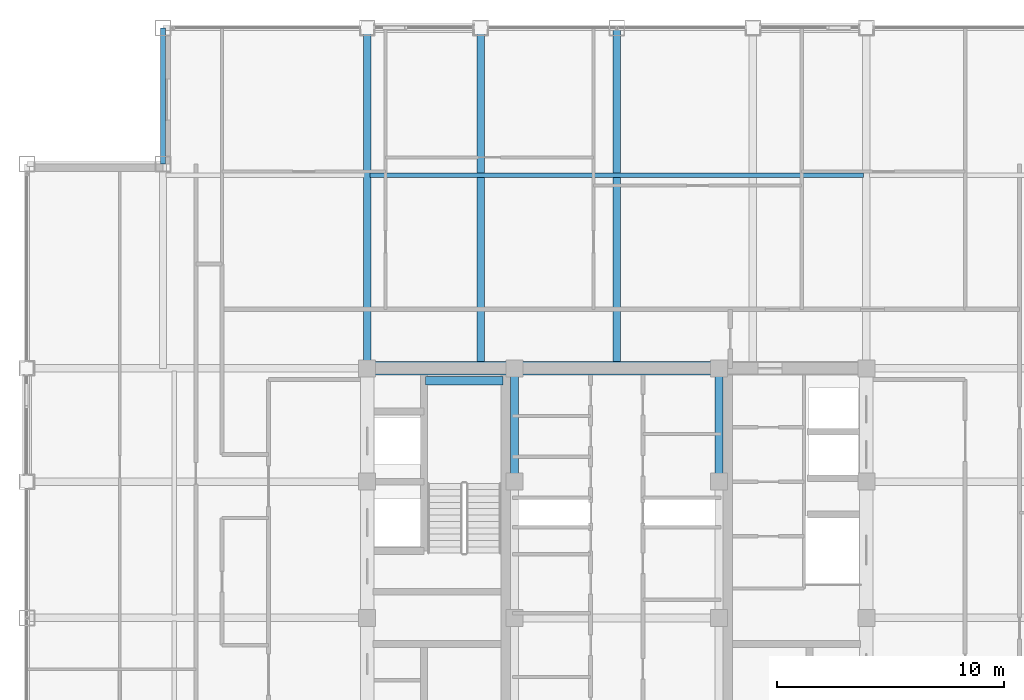
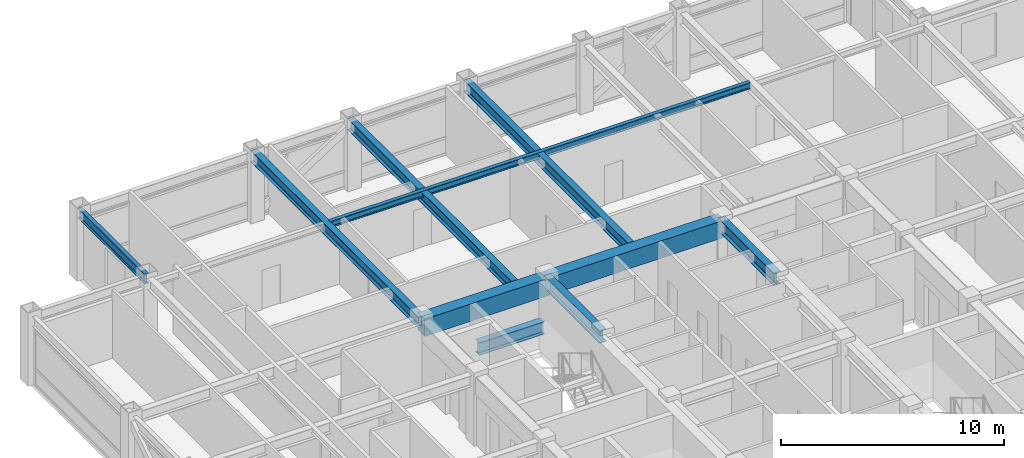
# One storey, part 15 of 29: 10 beams.
"""IFC4 building model written with IfcOpenShell, lengths in metres."""

from ifc_helpers import new_model, si_unit, direction, frame, origin, origin_2d, place, context, subcontext, project, spatial, rectangle, i_section, extrude, source, transform, mapped, material, material_profile, profile_set, type_object, element, save


model = new_model("IFC4")

# Units and contexts
model_context = context("Model", 3, precision=1e-05, world=origin(), true_north=direction((0.0, 1.0)))
body_context = subcontext(model_context, "Body", "Model", "MODEL_VIEW")
ifc_project = project(units=[si_unit("LENGTHUNIT", "METRE"), si_unit("AREAUNIT", "SQUARE_METRE"), si_unit("VOLUMEUNIT", "CUBIC_METRE"), si_unit("PLANEANGLEUNIT", "RADIAN"), si_unit("MASSUNIT", "GRAM", prefix="KILO")], contexts=[model_context])

# Site, building, storey
site_placement = place(None, origin())
site = spatial("IfcSite", under=ifc_project, at=site_placement, CompositionType="ELEMENT")
building_placement = place(site_placement, origin())
building = spatial("IfcBuilding", under=site, at=building_placement, Name="Khorayat Bourse Tower", CompositionType="ELEMENT")
storey_placement = place(building_placement, frame((0.0, 0.0, 362.300048828125)))
storey = spatial("IfcBuildingStorey", under=building, at=storey_placement, Name="L86", CompositionType="ELEMENT", Elevation=362.300048828125)

# Beams
ifc_material_1 = material(Name="Steel ASTM A992 Grade 50", Category="steel")
ifc_material_profile_1 = material_profile(ifc_material_1, i_section(OverallWidth=0.35498046875, OverallDepth=0.695068359375, WebThickness=0.015380859375, FlangeThickness=0.02490234375, FilletRadius=0.01806640625, at=origin_2d()), Name="W690X217")
ifc_profile_set_1 = profile_set([ifc_material_profile_1], Name="Steel ASTM A992 Grade 50")
beam_type_1 = type_object("IfcBeamType", Name="BM-GIRD-690", PredefinedType="BEAM", material=ifc_profile_set_1)
shared_shape_1 = source(origin(), body_context, "Body", "SweptSolid", [
    extrude(i_section(OverallWidth=0.35498046875, OverallDepth=0.695068359375, WebThickness=0.015380859375, FlangeThickness=0.02490234375, FilletRadius=0.01806640625, at=origin_2d()), origin(), (0.0, 0.0, 1.0), 5.0),
])
for number, where, z_axis, x_axis, name in (
    (1, (-4.5, 6.0, 3.392333984375), (0.0, 1.0, 0.0), (-1.0, 0.0, 0.0), "L86 BM-GIRD-690 BM-L86-CRX-08"),
    (2, (4.5, 6.0, 3.392333984375), (0.0, 1.0, 0.0), (-1.0, 0.0, 0.0), "L86 BM-GIRD-690 BM-L86-CRX-12"),
):
    element("IfcBeam", number, at=place(storey_placement, frame(where, z_axis=z_axis, x_axis=x_axis)), inside=storey, type_object=beam_type_1, Name=name, PredefinedType="BEAM", context=body_context, shape_type="MappedRepresentation", body=[
        mapped(shared_shape_1, transform((0.0, 0.0, 0.0), scale=1.0)),
    ])
shared_shape_2 = source(origin(), body_context, "Body", "SweptSolid", [
    extrude(i_section(OverallWidth=0.35498046875, OverallDepth=0.695068359375, WebThickness=0.015380859375, FlangeThickness=0.02490234375, FilletRadius=0.01806640625, at=origin_2d()), origin(), (0.0, 0.0, 1.0), 3.39990234375),
])
beam_1_placement = place(storey_placement, frame((-8.419921875, 10.449951171875, 1.452392578125), z_axis=(1.0, 0.0, 0.0), x_axis=(0.0, 1.0, 0.0)))
element("IfcBeam", 3, at=beam_1_placement, inside=storey, type_object=beam_type_1, Name="L86 BM-GIRD-690 BM-L86-ST2L", PredefinedType="BEAM", context=body_context, shape_type="MappedRepresentation", body=[
    mapped(shared_shape_2, transform((0.0, 0.0, 0.0), scale=1.0)),
])
ifc_material_2 = material(Name="Concrete C60/75", Category="concrete")
ifc_material_profile_2 = material_profile(ifc_material_2, rectangle(XDim=0.60009765625, YDim=0.949951171875, at=origin_2d()), Name="RC 600x950")
ifc_profile_set_2 = profile_set([ifc_material_profile_2], Name="Concrete C60/75")
beam_type_2 = type_object("IfcBeamType", Name="BM-COUP-950", PredefinedType="BEAM", material=ifc_profile_set_2)
shared_shape_3 = source(origin(), body_context, "Body", "SweptSolid", [
    extrude(rectangle(XDim=0.60009765625, YDim=0.949951171875, at=origin_2d()), origin(), (0.0, 0.0, 1.0), 6.5),
])
beam_2_placement = place(storey_placement, frame((-11.0, 11.0, 3.264892578125), z_axis=(1.0, 0.0, 0.0), x_axis=(0.0, 1.0, 0.0)))
element("IfcBeam", 4, at=beam_2_placement, inside=storey, type_object=beam_type_2, Name="L86 BM-COUP-950 BM-L86-CRY-20", PredefinedType="BEAM", context=body_context, shape_type="MappedRepresentation", body=[
    mapped(shared_shape_3, transform((0.0, 0.0, 0.0), scale=1.0)),
])
shared_shape_4 = source(origin(), body_context, "Body", "SweptSolid", [
    extrude(rectangle(XDim=0.60009765625, YDim=0.949951171875, at=origin_2d()), origin(), (0.0, 0.0, 1.0), 9.0),
])
beam_3_placement = place(storey_placement, frame((-4.5, 11.0, 3.264892578125), z_axis=(1.0, 0.0, 0.0), x_axis=(0.0, 1.0, 0.0)))
element("IfcBeam", 5, at=beam_3_placement, inside=storey, type_object=beam_type_2, Name="L86 BM-COUP-950 BM-L86-CRY-21", PredefinedType="BEAM", context=body_context, shape_type="MappedRepresentation", body=[
    mapped(shared_shape_4, transform((0.0, 0.0, 0.0), scale=1.0)),
])
ifc_material_profile_3 = material_profile(ifc_material_1, i_section(OverallWidth=0.202880859375, OverallDepth=0.346923828125, WebThickness=0.0078125, FlangeThickness=0.013427734375, FilletRadius=0.010009765625, at=origin_2d()), Name="W360X64")
ifc_profile_set_3 = profile_set([ifc_material_profile_3], Name="Steel ASTM A992 Grade 50")
beam_type_3 = type_object("IfcBeamType", Name="BM-JOIST-360", PredefinedType="JOIST", material=ifc_profile_set_3)
shared_shape_5 = source(origin(), body_context, "Body", "SweptSolid", [
    extrude(i_section(OverallWidth=0.202880859375, OverallDepth=0.346923828125, WebThickness=0.0078125, FlangeThickness=0.013427734375, FilletRadius=0.010009765625, at=origin_2d()), origin(), (0.0, 0.0, 1.0), 21.740234375),
])
beam_4_placement = place(storey_placement, frame((-10.8701171875, 19.5, 3.56640625), z_axis=(1.0, 0.0, 0.0), x_axis=(0.0, 1.0, 0.0)))
element("IfcBeam", 6, at=beam_4_placement, inside=storey, type_object=beam_type_3, Name="L86 BM-JOIST-360 BM-L86-JSTX-084", PredefinedType="JOIST", context=body_context, shape_type="MappedRepresentation", body=[
    mapped(shared_shape_5, transform((0.0, 0.0, 0.0), scale=1.0)),
])
ifc_material_profile_4 = material_profile(ifc_material_1, i_section(OverallWidth=0.214111328125, OverallDepth=0.549072265625, WebThickness=0.0146484375, FlangeThickness=0.023681640625, FilletRadius=0.013916015625, at=origin_2d()), Name="W530X138")
ifc_profile_set_4 = profile_set([ifc_material_profile_4], Name="Steel ASTM A992 Grade 50")
beam_type_4 = type_object("IfcBeamType", Name="BM-SPAN-530", PredefinedType="SPANDREL", material=ifc_profile_set_4)
shared_shape_6 = source(origin(), body_context, "Body", "SweptSolid", [
    extrude(i_section(OverallWidth=0.214111328125, OverallDepth=0.549072265625, WebThickness=0.0146484375, FlangeThickness=0.023681640625, FilletRadius=0.013916015625, at=origin_2d()), origin(), (0.0, 0.0, 1.0), 6.0),
])
beam_5_placement = place(storey_placement, frame((-20.0, 20.0, 3.46533203125), z_axis=(0.0, 1.0, 0.0), x_axis=(-1.0, 0.0, 0.0)))
element("IfcBeam", 7, at=beam_5_placement, inside=storey, type_object=beam_type_4, Name="L86 BM-SPAN-530 BM-L86-SPN-046", PredefinedType="SPANDREL", context=body_context, shape_type="MappedRepresentation", body=[
    mapped(shared_shape_6, transform((0.0, 0.0, 0.0), scale=1.0)),
])
ifc_material_profile_5 = material_profile(ifc_material_1, i_section(OverallWidth=0.324951171875, OverallDepth=0.615966796875, WebThickness=0.013916015625, FlangeThickness=0.021484375, FilletRadius=0.01611328125, at=origin_2d()), Name="W610X174")
ifc_profile_set_5 = profile_set([ifc_material_profile_5], Name="Steel ASTM A992 Grade 50")
beam_type_5 = type_object("IfcBeamType", Name="BM-GIRD-610", PredefinedType="BEAM", material=ifc_profile_set_5)
shared_shape_7 = source(origin(), body_context, "Body", "SweptSolid", [
    extrude(i_section(OverallWidth=0.324951171875, OverallDepth=0.615966796875, WebThickness=0.013916015625, FlangeThickness=0.021484375, FilletRadius=0.01611328125, at=origin_2d()), origin(), (0.0, 0.0, 1.0), 15.0),
])
for number, where, z_axis, x_axis, name in (
    (8, (-11.0, 11.0, 3.431884765625), (0.0, 1.0, 0.0), (-1.0, 0.0, 0.0), "L86 BM-GIRD-610 BM-L86-RADY-056"),
    (9, (-6.0, 11.0, 3.431884765625), (0.0, 1.0, 0.0), (-1.0, 0.0, 0.0), "L86 BM-GIRD-610 BM-L86-RADY-058"),
    (10, (0.0, 11.0, 3.431884765625), (0.0, 1.0, 0.0), (-1.0, 0.0, 0.0), "L86 BM-GIRD-610 BM-L86-RADY-060"),
):
    element("IfcBeam", number, at=place(storey_placement, frame(where, z_axis=z_axis, x_axis=x_axis)), inside=storey, type_object=beam_type_5, Name=name, PredefinedType="BEAM", context=body_context, shape_type="MappedRepresentation", body=[
        mapped(shared_shape_7, transform((0.0, 0.0, 0.0), scale=1.0)),
    ])

save(model, "model.ifc")
